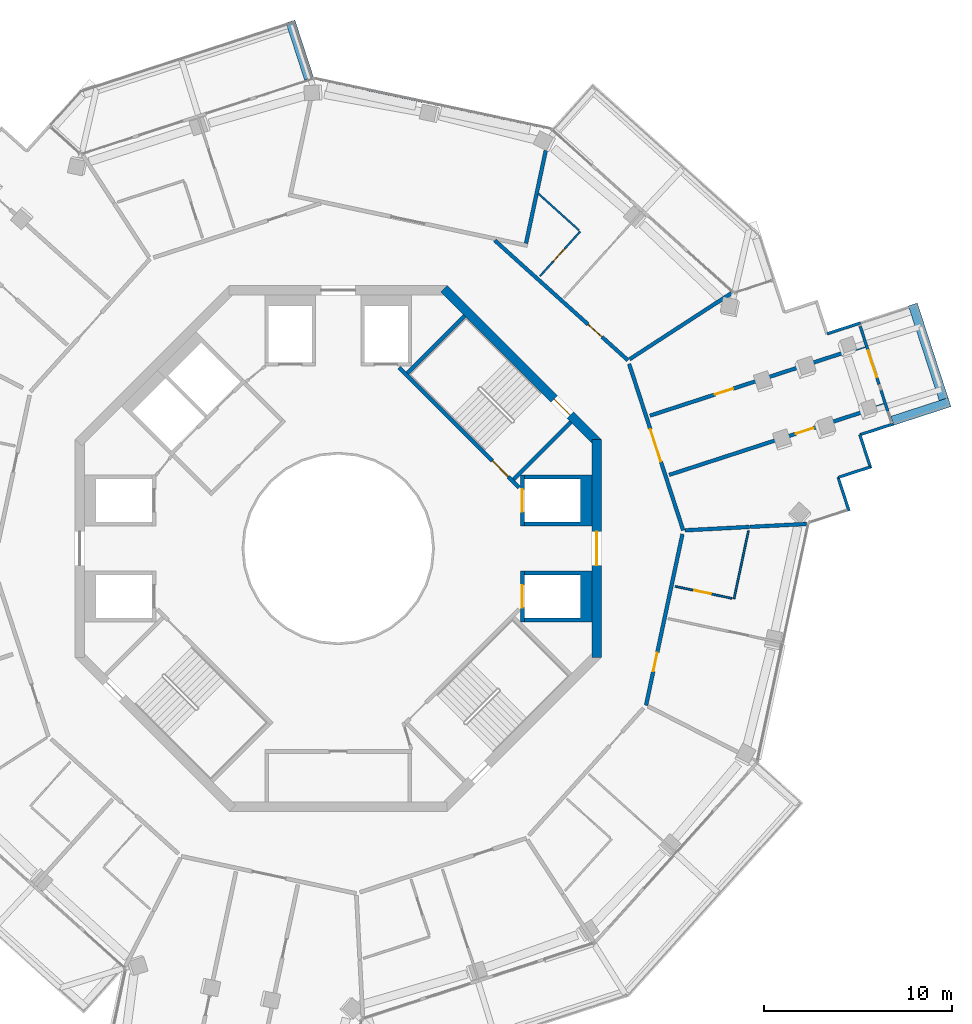
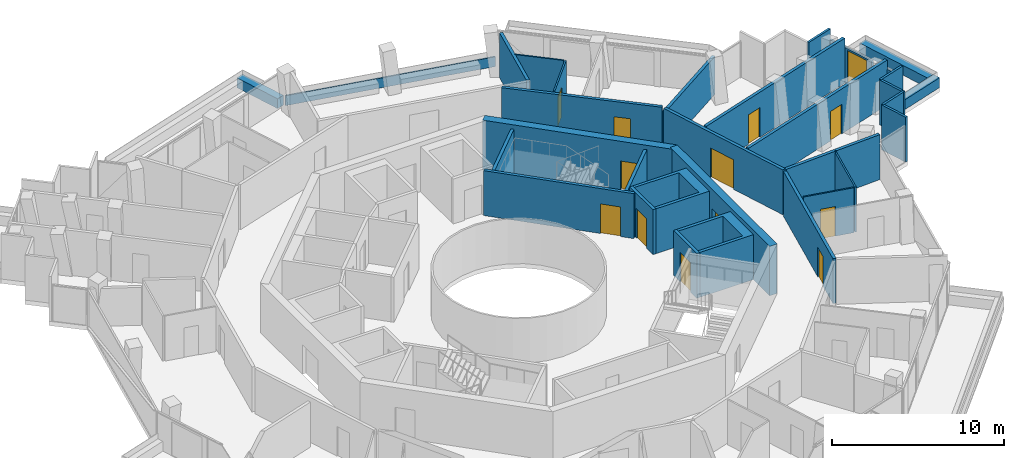
# One storey, part 18 of 22: 33 walls, 13 doors, 13 openings.
"""IFC4 building model written with IfcOpenShell, lengths in metres."""

import ifcopenshell
import ifcopenshell.guid

model = None  # the IFC model being written
_history = None  # IfcOwnerHistory: only IFC2X3 demands one
_inside = {}  # id of a spatial element -> (the spatial element, [elements in it])
_under = {}  # id of a project, library or spatial element -> (it, [spatial elements below it])
_declared = {}  # id of a project -> (the project, [libraries it declares])
_typed = {}  # id of a type object -> (the type object, [elements of that type])
_made_of = {}  # id of a material, layer set ... -> (it, [elements and type objects made of it])


def new_model(schema):
    """Start an empty IFC model of exactly this schema.

    Asked for "IFC4X3", IfcOpenShell would pick the latest addendum, in which some entities
    have other attributes; the version numbers below select the first issue.
    IFC2X3 requires an IfcOwnerHistory on every rooted entity: one is made here for all.
    """
    global model, _history
    if schema == "IFC4X3":
        model = ifcopenshell.file(schema_version=(4, 3, 0, 0))
    else:
        model = ifcopenshell.file(schema=schema)
    _inside.clear()
    _under.clear()
    _declared.clear()
    _typed.clear()
    _made_of.clear()
    _history = None
    if model.schema == "IFC2X3":
        org = make("IfcOrganization", Name="unknown")
        user = make(
            "IfcPersonAndOrganization",
            ThePerson=make("IfcPerson", FamilyName="unknown"),
            TheOrganization=org,
        )
        app = make(
            "IfcApplication",
            ApplicationDeveloper=org,
            Version="unknown",
            ApplicationFullName="unknown",
            ApplicationIdentifier="unknown",
        )
        _history = make(
            "IfcOwnerHistory",
            OwningUser=user,
            OwningApplication=app,
            ChangeAction="ADDED",
            CreationDate=0,
        )
    return model


def make(cls, **values):
    """One entity of the class cls with the attributes given. An attribute that is None is left unset."""
    return model.create_entity(
        cls, **{name: value for name, value in values.items() if value is not None}
    )


def rooted(cls, **values):
    """An entity with a GlobalId (a new one), such as an element, a storey or a relation."""
    return make(cls, GlobalId=ifcopenshell.guid.new(), OwnerHistory=_history, **values)


def si_unit(unit_type, name, prefix=None):
    """IfcSIUnit, for example si_unit("LENGTHUNIT", "METRE", prefix="MILLI")."""
    return make("IfcSIUnit", UnitType=unit_type, Prefix=prefix, Name=name)


def assignment(units):
    """IfcUnitAssignment: the units of a project."""
    return None if units is None else make("IfcUnitAssignment", Units=units)


def point(xyz):
    """IfcCartesianPoint."""
    return None if xyz is None else make("IfcCartesianPoint", Coordinates=xyz)


def direction(xyz):
    """IfcDirection."""
    return None if xyz is None else make("IfcDirection", DirectionRatios=xyz)


def frame(location, z_axis=None, x_axis=None):
    """IfcAxis2Placement3D, a coordinate frame: its origin and axes. An axis left out is left unset."""
    return make(
        "IfcAxis2Placement3D",
        Location=point(location),
        Axis=direction(z_axis),
        RefDirection=direction(x_axis),
    )


def frame_2d(location, x_axis=None):
    """IfcAxis2Placement2D, a coordinate frame in the plane: its origin and x axis."""
    return make(
        "IfcAxis2Placement2D", Location=point(location), RefDirection=direction(x_axis)
    )


def origin():
    """The frame at (0, 0, 0) with its axes left unset."""
    return frame((0.0, 0.0, 0.0))


def place(relative_to, where):
    """IfcLocalPlacement: puts the frame where relative to a parent placement (None: the world)."""
    return make(
        "IfcLocalPlacement", PlacementRelTo=relative_to, RelativePlacement=where
    )


def context(
    kind, dimensions, precision=None, world=None, true_north=None, identifier=None
):
    """IfcGeometricRepresentationContext, for example the 3D "Model" context."""
    return make(
        "IfcGeometricRepresentationContext",
        ContextIdentifier=identifier,
        ContextType=kind,
        CoordinateSpaceDimension=dimensions,
        Precision=precision,
        WorldCoordinateSystem=world,
        TrueNorth=true_north,
    )


def subcontext(parent, identifier, kind, view, scale=None):
    """IfcGeometricRepresentationSubContext, for example "Body" below "Model"."""
    return make(
        "IfcGeometricRepresentationSubContext",
        ContextIdentifier=identifier,
        ContextType=kind,
        ParentContext=parent,
        TargetScale=scale,
        TargetView=view,
    )


def project(units=None, contexts=None):
    """IfcProject with its units and contexts."""
    return rooted(
        "IfcProject",
        Name="project",
        RepresentationContexts=contexts,
        UnitsInContext=assignment(units),
    )


def spatial(cls, under=None, at=None, **own):
    """A site, building, storey or space (cls), placed at a placement, below another one or the project."""
    s = rooted(cls, ObjectPlacement=at, **own)
    if under is not None:
        _under.setdefault(under.id(), (under, []))[1].append(s)
    return s


def polyline(points):
    """IfcPolyline through the points."""
    return make("IfcPolyline", Points=[point(p) for p in points])


def profile(cls, at=None, kind="AREA", **sizes):
    """A parametric profile (cls). Its sizes go by their IFC names, for example OverallWidth=200.0."""
    return make(cls, ProfileType=kind, Position=at, **sizes)


def rectangle(**sizes):
    """IfcRectangleProfileDef."""
    return profile("IfcRectangleProfileDef", **sizes)


def outline(outer, holes=None, kind="AREA"):
    """IfcArbitraryClosedProfileDef: a profile drawn as a closed curve; with holes, ...WithVoids."""
    if holes is None:
        return make("IfcArbitraryClosedProfileDef", ProfileType=kind, OuterCurve=outer)
    return make(
        "IfcArbitraryProfileDefWithVoids",
        ProfileType=kind,
        OuterCurve=outer,
        InnerCurves=holes,
    )


def extrude(swept, where, along, depth):
    """IfcExtrudedAreaSolid: the profile swept, set in the frame where, extruded along a direction by depth."""
    return make(
        "IfcExtrudedAreaSolid",
        SweptArea=swept,
        Position=where,
        ExtrudedDirection=direction(along),
        Depth=depth,
    )


def shape(context_of_items, identifier, shape_type, items):
    """IfcShapeRepresentation: the items that make up one representation, for example the "Body"."""
    return make(
        "IfcShapeRepresentation",
        ContextOfItems=context_of_items,
        RepresentationIdentifier=identifier,
        RepresentationType=shape_type,
        Items=items,
    )


def material(Name=None, Category=None):
    """IfcMaterial."""
    return make("IfcMaterial", Name=Name, Category=Category)


def layer(
    of_material, thickness, ventilated=None, Name=None, Category=None, Priority=None
):
    """IfcMaterialLayer: one layer of a wall or slab, of a material (None: an air gap)."""
    return make(
        "IfcMaterialLayer",
        Material=of_material,
        LayerThickness=thickness,
        IsVentilated=ventilated,
        Name=Name,
        Category=Category,
        Priority=Priority,
    )


def layer_set(layers, Name=None):
    """IfcMaterialLayerSet."""
    return make("IfcMaterialLayerSet", MaterialLayers=layers, LayerSetName=Name)


def made_of(thing, what):
    """Note that an element or type object is made of a material, layer set ...; save() writes the relation."""
    if what is not None:
        _made_of.setdefault(what.id(), (what, []))[1].append(thing)
    return thing


def type_object(cls, material=None, **own):
    """A type object (cls), such as IfcWallType, which elements share."""
    return made_of(rooted(cls, **own), material)


def element(
    cls,
    number,
    at=None,
    inside=None,
    cuts=None,
    type_object=None,
    material=None,
    context=None,
    identifier="Body",
    shape_type=None,
    held_by="IfcProductDefinitionShape",
    body=None,
    shapes=None,
    **own,
):
    """One element of the class cls, such as IfcWall. Its Tag is "e" and its number.

    at: its placement. inside: the storey or other place that contains it. cuts: it is an
    opening in that element (IfcRelVoidsElement). A single representation is given by context,
    identifier, shape_type and body (its items); several are given by shapes. held_by: the class
    of the entity that holds the representations. save() writes the other relations.
    """
    e = rooted(cls, Tag="e%d" % number, ObjectPlacement=at, **own)
    if body is not None:
        shapes = [shape(context, identifier, shape_type, body)]
    if shapes is not None:
        e.Representation = make(held_by, Representations=shapes)
    if inside is not None:
        _inside.setdefault(inside.id(), (inside, []))[1].append(e)
    if cuts is not None:
        rooted(
            "IfcRelVoidsElement", RelatingBuildingElement=cuts, RelatedOpeningElement=e
        )
    if type_object is not None:
        _typed.setdefault(type_object.id(), (type_object, []))[1].append(e)
    return made_of(e, material)


def fill(opening, filler):
    """IfcRelFillsElement: the door or window that sits in an opening."""
    return rooted(
        "IfcRelFillsElement",
        RelatingOpeningElement=opening,
        RelatedBuildingElement=filler,
    )


def aggregate(whole, parts):
    """IfcRelAggregates: a whole, such as a stair, and the parts it consists of."""
    return rooted("IfcRelAggregates", RelatingObject=whole, RelatedObjects=parts)


def save(model, path):
    """Write the relations noted so far, then the file.

    IfcRelAggregates (storeys below a building ...), IfcRelContainedInSpatialStructure (elements
    in a storey), IfcRelDefinesByType, IfcRelAssociatesMaterial and IfcRelDeclares: one each for
    every whole, place, type object, material and project.
    """
    for whole, parts in _under.values():
        aggregate(whole, parts)
    for where, things in _inside.values():
        rooted(
            "IfcRelContainedInSpatialStructure",
            RelatedElements=things,
            RelatingStructure=where,
        )
    for kind, things in _typed.values():
        rooted("IfcRelDefinesByType", RelatedObjects=things, RelatingType=kind)
    for what, things in _made_of.values():
        rooted("IfcRelAssociatesMaterial", RelatedObjects=things, RelatingMaterial=what)
    for by, libraries in _declared.values():
        rooted("IfcRelDeclares", RelatingContext=by, RelatedDefinitions=libraries)
    model.write(path)


model = new_model("IFC4")

# Units and contexts
model_context = context("Model", 3, precision=1e-05, world=origin(), true_north=direction((0.0, 1.0)))
body_context = subcontext(model_context, "Body", "Model", "MODEL_VIEW")
ifc_project = project(units=[si_unit("LENGTHUNIT", "METRE"), si_unit("AREAUNIT", "SQUARE_METRE"), si_unit("VOLUMEUNIT", "CUBIC_METRE"), si_unit("PLANEANGLEUNIT", "RADIAN"), si_unit("MASSUNIT", "GRAM", prefix="KILO")], contexts=[model_context])

# Site, building, storey
site_placement = place(None, origin())
site = spatial("IfcSite", under=ifc_project, at=site_placement, CompositionType="ELEMENT")
building_placement = place(site_placement, origin())
building = spatial("IfcBuilding", under=site, at=building_placement, Name="Verdalira Terraces Hotel", CompositionType="ELEMENT")
storey_placement = place(building_placement, frame((0.0, 0.0, 230.5)))
storey = spatial("IfcBuildingStorey", under=building, at=storey_placement, Name="L56", CompositionType="ELEMENT", Elevation=230.5)

# Walls
ifc_material_1 = material(Name="Concrete C40", Category="concrete")
ifc_layer_1 = layer(ifc_material_1, 0.5)
ifc_layer_set_1 = layer_set([ifc_layer_1], Name="Balcony planter trough with tree")
wall_type_1 = type_object("IfcWallType", Name="Balcony planter trough with tree", PredefinedType="SOLIDWALL", material=ifc_layer_set_1)
wall_1_placement = place(storey_placement, frame((29.490234, 6.795654, 0.0), z_axis=(0.0, 0.0, 1.0), x_axis=(0.951059864, 0.309006691, 0.0)))
element("IfcWall", 1, at=wall_1_placement, inside=storey, type_object=wall_type_1, Name="Balcony planter", PredefinedType="SOLIDWALL", context=body_context, shape_type="SweptSolid", body=[
    extrude(rectangle(XDim=3.198975, YDim=0.5, at=frame_2d((1.599609, 0.0))), origin(), (0.0, 0.0, 1.0), 0.699951),
])
wall_2_placement = place(storey_placement, frame((32.217773, 7.94458, 0.0), z_axis=(0.0, 0.0, 1.0), x_axis=(-0.309032953, 0.951051331, 0.0)))
element("IfcWall", 2, at=wall_2_placement, inside=storey, type_object=wall_type_1, Name="Balcony planter", PredefinedType="SOLIDWALL", context=body_context, shape_type="SweptSolid", body=[
    extrude(rectangle(XDim=5.300293, YDim=0.5, at=frame_2d((2.650146, 0.0))), origin(), (0.0, 0.0, 1.0), 0.699951),
])
wall_3_placement = place(storey_placement, frame((-1.55249, 25.003418, 0.0), z_axis=(0.0, 0.0, 1.0), x_axis=(-0.309006691, 0.951059864, 0.0)))
element("IfcWall", 3, at=wall_3_placement, inside=storey, type_object=wall_type_1, Name="Balcony planter", PredefinedType="SOLIDWALL", context=body_context, shape_type="SweptSolid", body=[
    extrude(rectangle(XDim=3.198975, YDim=0.5, at=frame_2d((1.599609, 0.0))), origin(), (0.0, 0.0, 1.0), 0.699951),
])
ifc_material_2 = material(Name="Moisture-resistant gypsum board partition")
ifc_layer_2 = layer(ifc_material_2, 0.10009765625)
ifc_layer_set_2 = layer_set([ifc_layer_2], Name="Bathroom partition 100 mm")
wall_type_2 = type_object("IfcWallType", Name="Bathroom partition 100 mm", PredefinedType="PARTITIONING", material=ifc_layer_set_2)
wall_4_placement = place(storey_placement, frame((12.806396, 16.94043, 0.0), z_axis=(0.0, 0.0, 1.0), x_axis=(-0.74311485, 0.669163896, 0.0)))
element("IfcWall", 4, at=wall_4_placement, inside=storey, type_object=wall_type_2, Name="Bathroom partition", PredefinedType="PARTITIONING", context=body_context, shape_type="SweptSolid", body=[
    extrude(rectangle(XDim=2.911865, YDim=0.100098, at=frame_2d((1.456055, 0.0))), origin(), (0.0, 0.0, 1.0), 3.189941),
])

# Wall, opening, door
wall_5_placement = place(storey_placement, frame((10.739502, 14.495361, 0.0), z_axis=(0.0, 0.0, 1.0), x_axis=(0.66909539, 0.743176533, 0.0)))
wall_5 = element("IfcWall", 5, at=wall_5_placement, inside=storey, type_object=wall_type_2, Name="Bathroom partition", PredefinedType="PARTITIONING", context=body_context, shape_type="SweptSolid", body=[
    extrude(rectangle(XDim=3.199951, YDim=0.100098, at=frame_2d((1.600098, 0.0))), origin(), (0.0, 0.0, 1.0), 3.189941),
])
opening_1_placement = place(wall_5_placement, frame((1.050049, 0.0, 0.0)))
opening_1 = element("IfcOpeningElement", 6, at=opening_1_placement, cuts=wall_5, Name="Opening L56-129", PredefinedType="OPENING", context=body_context, shape_type="SweptSolid", body=[
    extrude(rectangle(XDim=0.899902, YDim=2.100098, at=frame_2d((0.449951, 1.050049))), frame((0.0, 0.060059, 0.0), z_axis=(0.0, -1.0, 0.0), x_axis=(1.0, 0.0, 0.0)), (0.0, 0.0, 1.0), 0.120117),
])
ifc_material_3 = material(Name="Timber door", Category="wood")
door_type_1 = type_object("IfcDoorType", Name="Bathroom door 900 x 2100", OperationType="NOTDEFINED", PredefinedType="DOOR", material=ifc_material_3)
door_1_placement = place(opening_1_placement, origin())
door_1 = element("IfcDoor", 7, at=door_1_placement, inside=storey, type_object=door_type_1, Name="Bathroom door 5610", OperationType="SINGLE_SWING_RIGHT", OverallHeight=2.10009765625, OverallWidth=0.89990234375, PredefinedType="DOOR", context=body_context, shape_type="SweptSolid", body=[
    extrude(rectangle(XDim=0.899902, YDim=2.100098, at=frame_2d((0.449951, 1.050049))), frame((0.0, 0.024902, 0.0), z_axis=(0.0, -1.0, 0.0), x_axis=(1.0, 0.0, 0.0)), (0.0, 0.0, 1.0), 0.050049),
])
fill(opening_1, door_1)

wall_6_placement = place(storey_placement, frame((17.931396, -2.013916, 0.0), z_axis=(0.0, 0.0, 1.0), x_axis=(0.97814684, -0.20791527, 0.0)))
wall_6 = element("IfcWall", 8, at=wall_6_placement, inside=storey, type_object=wall_type_2, Name="Bathroom partition", PredefinedType="PARTITIONING", context=body_context, shape_type="SweptSolid", body=[
    extrude(rectangle(XDim=3.099854, YDim=0.100098, at=frame_2d((1.549805, 0.0))), origin(), (0.0, 0.0, 1.0), 3.189941),
])
opening_2_placement = place(wall_6_placement, frame((1.050049, 0.0, 0.0)))
opening_2 = element("IfcOpeningElement", 9, at=opening_2_placement, cuts=wall_6, Name="Opening L56-123", PredefinedType="OPENING", context=body_context, shape_type="SweptSolid", body=[
    extrude(rectangle(XDim=0.899902, YDim=2.100098, at=frame_2d((0.449951, 1.050049))), frame((0.0, 0.060059, 0.0), z_axis=(0.0, -1.0, 0.0), x_axis=(1.0, 0.0, 0.0)), (0.0, 0.0, 1.0), 0.120117),
])
door_2_placement = place(opening_2_placement, origin())
door_2 = element("IfcDoor", 10, at=door_2_placement, inside=storey, type_object=door_type_1, Name="Bathroom door 5608", OperationType="SINGLE_SWING_RIGHT", OverallHeight=2.10009765625, OverallWidth=0.89990234375, PredefinedType="DOOR", context=body_context, shape_type="SweptSolid", body=[
    extrude(rectangle(XDim=0.899902, YDim=2.100098, at=frame_2d((0.449951, 1.050049))), frame((0.0, 0.024902, 0.0), z_axis=(0.0, -1.0, 0.0), x_axis=(1.0, 0.0, 0.0)), (0.0, 0.0, 1.0), 0.050049),
])
fill(opening_2, door_2)

# Walls
wall_7_placement = place(storey_placement, frame((21.061523, -2.679199, 0.0), z_axis=(0.0, 0.0, 1.0), x_axis=(0.207890288, 0.97815215, 0.0)))
element("IfcWall", 11, at=wall_7_placement, inside=storey, type_object=wall_type_2, Name="Bathroom partition", PredefinedType="PARTITIONING", context=body_context, shape_type="SweptSolid", body=[
    extrude(rectangle(XDim=3.703857, YDim=0.100098, at=frame_2d((1.852051, 0.0))), origin(), (0.0, 0.0, 1.0), 3.189941),
])
ifc_material_4 = material(Name="Concrete C50", Category="concrete")
ifc_layer_3 = layer(ifc_material_4, 0.199951171875)
ifc_layer_set_3 = layer_set([ifc_layer_3], Name="Core RC wall 200 C50")
wall_type_3 = type_object("IfcWallType", Name="Core RC wall 200 C50", PredefinedType="SOLIDWALL", material=ifc_layer_set_3)
wall_8_placement = place(storey_placement, origin())
element("IfcWall", 12, at=wall_8_placement, inside=storey, type_object=wall_type_3, Name="L56 shaft wall E1", PredefinedType="SOLIDWALL", context=body_context, shape_type="SweptSolid", body=[
    extrude(outline(polyline([(13.5, -3.899902), (9.899902, -3.899902), (9.899902, -3.699951), (12.899902, -3.699951), (12.899902, -1.399902), (9.899902, -1.399902), (9.899902, -1.199951), (13.5, -1.199951), (13.5, -3.899902)])), origin(), (0.0, 0.0, 1.0), 3.189941),
])

# Wall, opening, door
wall_9_placement = place(storey_placement, frame((9.800049, -1.199951, 0.0), z_axis=(0.0, 0.0, 1.0), x_axis=(0.0, -1.0, 0.0)))
wall_9 = element("IfcWall", 13, at=wall_9_placement, inside=storey, type_object=wall_type_3, Name="L56 shaft front wall E1", PredefinedType="SOLIDWALL", context=body_context, shape_type="SweptSolid", body=[
    extrude(rectangle(XDim=2.699951, YDim=0.199951, at=frame_2d((1.350098, 0.0))), origin(), (0.0, 0.0, 1.0), 3.189941),
])
opening_3_placement = place(wall_9_placement, frame((0.75, 0.0, 0.0)))
opening_3 = element("IfcOpeningElement", 14, at=opening_3_placement, cuts=wall_9, Name="Opening LD-L56-802", PredefinedType="OPENING", context=body_context, shape_type="SweptSolid", body=[
    extrude(rectangle(XDim=1.199951, YDim=2.100098, at=frame_2d((0.600098, 1.050049))), frame((0.0, 0.109863, 0.0), z_axis=(0.0, -1.0, 0.0), x_axis=(1.0, 0.0, 0.0)), (0.0, 0.0, 1.0), 0.219971),
])
ifc_material_5 = material(Name="Stainless steel", Category="steel")
door_type_2 = type_object("IfcDoorType", Name="Landing door 1200 x 2100", OperationType="NOTDEFINED", PredefinedType="DOOR", material=ifc_material_5)
door_3_placement = place(opening_3_placement, origin())
door_3 = element("IfcDoor", 15, at=door_3_placement, inside=storey, type_object=door_type_2, Name="Lift landing door HR1 L56", OperationType="DOUBLE_DOOR_SLIDING", OverallHeight=2.10009765625, OverallWidth=1.199951171875, PredefinedType="DOOR", context=body_context, shape_type="SweptSolid", body=[
    extrude(rectangle(XDim=1.199951, YDim=2.100098, at=frame_2d((0.600098, 1.050049))), frame((0.0, 0.024902, 0.0), z_axis=(0.0, -1.0, 0.0), x_axis=(1.0, 0.0, 0.0)), (0.0, 0.0, 1.0), 0.050049),
])
fill(opening_3, door_3)

# Wall
wall_10_placement = place(storey_placement, origin())
element("IfcWall", 16, at=wall_10_placement, inside=storey, type_object=wall_type_3, Name="L56 shaft wall E2", PredefinedType="SOLIDWALL", context=body_context, shape_type="SweptSolid", body=[
    extrude(outline(polyline([(13.5, 3.899902), (13.5, 1.199951), (9.899902, 1.199951), (9.899902, 1.399902), (12.899902, 1.399902), (12.899902, 3.699951), (9.899902, 3.699951), (9.899902, 3.899902), (13.5, 3.899902)])), origin(), (0.0, 0.0, 1.0), 3.189941),
])

# Wall, opening, door
wall_11_placement = place(storey_placement, frame((9.800049, 1.199951, 0.0), z_axis=(0.0, 0.0, 1.0), x_axis=(0.0, 1.0, 0.0)))
wall_11 = element("IfcWall", 17, at=wall_11_placement, inside=storey, type_object=wall_type_3, Name="L56 shaft front wall E2", PredefinedType="SOLIDWALL", context=body_context, shape_type="SweptSolid", body=[
    extrude(rectangle(XDim=2.699951, YDim=0.199951, at=frame_2d((1.350098, 0.0))), origin(), (0.0, 0.0, 1.0), 3.189941),
])
opening_4_placement = place(wall_11_placement, frame((0.75, 0.0, 0.0)))
opening_4 = element("IfcOpeningElement", 18, at=opening_4_placement, cuts=wall_11, Name="Opening LD-L56-803", PredefinedType="OPENING", context=body_context, shape_type="SweptSolid", body=[
    extrude(rectangle(XDim=1.199951, YDim=2.100098, at=frame_2d((0.600098, 1.050049))), frame((0.0, 0.109863, 0.0), z_axis=(0.0, -1.0, 0.0), x_axis=(1.0, 0.0, 0.0)), (0.0, 0.0, 1.0), 0.219971),
])
door_4_placement = place(opening_4_placement, origin())
door_4 = element("IfcDoor", 19, at=door_4_placement, inside=storey, type_object=door_type_2, Name="Lift landing door HR2 L56", OperationType="DOUBLE_DOOR_SLIDING", OverallHeight=2.10009765625, OverallWidth=1.199951171875, PredefinedType="DOOR", context=body_context, shape_type="SweptSolid", body=[
    extrude(rectangle(XDim=1.199951, YDim=2.100098, at=frame_2d((0.600098, 1.050049))), frame((0.0, 0.024902, 0.0), z_axis=(0.0, -1.0, 0.0), x_axis=(1.0, 0.0, 0.0)), (0.0, 0.0, 1.0), 0.050049),
])
fill(opening_4, door_4)

wall_12_placement = place(storey_placement, frame((3.23999, 9.629395, 0.0), z_axis=(0.0, 0.0, 1.0), x_axis=(0.707106781, -0.707106781, 0.0)))
wall_12 = element("IfcWall", 20, at=wall_12_placement, inside=storey, type_object=wall_type_3, Name="L56 stair ST1 front wall", PredefinedType="SOLIDWALL", context=body_context, shape_type="SweptSolid", body=[
    extrude(rectangle(XDim=9.035889, YDim=0.199951, at=frame_2d((4.518066, 0.0))), origin(), (0.0, 0.0, 1.0), 3.189941),
])
opening_5_placement = place(wall_12_placement, frame((7.017822, 0.0, 0.0)))
opening_5 = element("IfcOpeningElement", 21, at=opening_5_placement, cuts=wall_12, Name="Opening L56-810", PredefinedType="OPENING", context=body_context, shape_type="SweptSolid", body=[
    extrude(rectangle(XDim=1.199951, YDim=2.100098, at=frame_2d((0.600098, 1.050049))), frame((0.0, 0.109863, 0.0), z_axis=(0.0, -1.0, 0.0), x_axis=(1.0, 0.0, 0.0)), (0.0, 0.0, 1.0), 0.219971),
])
ifc_material_6 = material(Name="Steel fire door", Category="steel")
door_type_3 = type_object("IfcDoorType", Name="Stair door 1200 x 2100", OperationType="NOTDEFINED", PredefinedType="DOOR", material=ifc_material_6)
door_5_placement = place(opening_5_placement, origin())
door_5 = element("IfcDoor", 22, at=door_5_placement, inside=storey, type_object=door_type_3, Name="Stair door ST1 L56", OperationType="SINGLE_SWING_RIGHT", OverallHeight=2.10009765625, OverallWidth=1.199951171875, PredefinedType="DOOR", context=body_context, shape_type="SweptSolid", body=[
    extrude(rectangle(XDim=1.199951, YDim=2.100098, at=frame_2d((0.600098, 1.050049))), frame((0.0, 0.024902, 0.0), z_axis=(0.0, -1.0, 0.0), x_axis=(1.0, 0.0, 0.0)), (0.0, 0.0, 1.0), 0.050049),
])
fill(opening_5, door_5)

# Walls
for number, where, z_axis, x_axis, name in (
    (23, (9.33374, 3.677002, 0.0), (0.0, 0.0, 1.0), (0.707135168, 0.707078393, 0.0), "L56 stair ST1 end wall 1"),
    (24, (3.677002, 9.33374, 0.0), (0.0, 0.0, 1.0), (0.707078393, 0.707135168, 0.0), "L56 stair ST1 end wall 2"),
):
    element("IfcWall", number, at=place(storey_placement, frame(where, z_axis=z_axis, x_axis=x_axis)), inside=storey, type_object=wall_type_3, Name=name, PredefinedType="SOLIDWALL", context=body_context, shape_type="SweptSolid", body=[
        extrude(rectangle(XDim=4.300049, YDim=0.199951, at=frame_2d((2.149902, 0.0))), origin(), (0.0, 0.0, 1.0), 3.189941),
    ])

# Wall, opening, door
ifc_material_7 = material(Name="Concrete C50", Category="concrete")
ifc_layer_4 = layer(ifc_material_7, 0.5)
ifc_layer_set_4 = layer_set([ifc_layer_4], Name="Core wall 500 C50")
wall_type_4 = type_object("IfcWallType", Name="Core wall 500 C50", PredefinedType="SHEAR", material=ifc_layer_set_4)
wall_13_placement = place(storey_placement, frame((13.75, -5.799072, 0.0), z_axis=(0.0, 0.0, 1.0), x_axis=(0.0, 1.0, 0.0)))
wall_13 = element("IfcWall", 25, at=wall_13_placement, inside=storey, type_object=wall_type_4, Name="Core wall CW-L56-1", PredefinedType="SHEAR", context=body_context, shape_type="SweptSolid", body=[
    extrude(rectangle(XDim=11.598145, YDim=0.5, at=frame_2d((5.799072, 0.0))), origin(), (0.0, 0.0, 1.0), 3.5),
])
opening_6_placement = place(wall_13_placement, frame((4.898926, 0.0, 0.0)))
opening_6 = element("IfcOpeningElement", 26, at=opening_6_placement, cuts=wall_13, Name="Opening L56-813", PredefinedType="OPENING", context=body_context, shape_type="SweptSolid", body=[
    extrude(rectangle(XDim=1.800049, YDim=2.100098, at=frame_2d((0.899902, 1.050049))), frame((0.0, 0.26001, 0.0), z_axis=(0.0, -1.0, 0.0), x_axis=(1.0, 0.0, 0.0)), (0.0, 0.0, 1.0), 0.52002),
])
ifc_material_8 = material(Name="Steel fire door", Category="steel")
door_type_4 = type_object("IfcDoorType", Name="Core entry door pair 1800 x 2100", OperationType="NOTDEFINED", PredefinedType="DOOR", material=ifc_material_8)
door_6_placement = place(opening_6_placement, origin())
door_6 = element("IfcDoor", 27, at=door_6_placement, inside=storey, type_object=door_type_4, Name="Core entry door L56 0", OperationType="DOUBLE_DOOR_SINGLE_SWING", OverallHeight=2.10009765625, OverallWidth=1.800048828125, PredefinedType="DOOR", context=body_context, shape_type="SweptSolid", body=[
    extrude(rectangle(XDim=1.800049, YDim=2.100098, at=frame_2d((0.899902, 1.050049))), frame((0.0, 0.024902, 0.0), z_axis=(0.0, -1.0, 0.0), x_axis=(1.0, 0.0, 0.0)), (0.0, 0.0, 1.0), 0.050049),
])
fill(opening_6, door_6)

wall_14_placement = place(storey_placement, frame((13.823242, 5.622314, 0.0), z_axis=(0.0, 0.0, 1.0), x_axis=(-0.707106781, 0.707106781, 0.0)))
wall_14 = element("IfcWall", 28, at=wall_14_placement, inside=storey, type_object=wall_type_4, Name="Core wall CW-L56-2", PredefinedType="SHEAR", context=body_context, shape_type="SweptSolid", body=[
    extrude(rectangle(XDim=11.5979, YDim=0.5, at=frame_2d((5.798828, 0.0))), origin(), (0.0, 0.0, 1.0), 3.5),
])
opening_7_placement = place(wall_14_placement, frame((2.099121, 0.0, 0.0)))
opening_7 = element("IfcOpeningElement", 29, at=opening_7_placement, cuts=wall_14, Name="Opening L56-816", PredefinedType="OPENING", context=body_context, shape_type="SweptSolid", body=[
    extrude(rectangle(XDim=1.199951, YDim=2.100098, at=frame_2d((0.600098, 1.050049))), frame((0.0, 0.26001, 0.0), z_axis=(0.0, -1.0, 0.0), x_axis=(1.0, 0.0, 0.0)), (0.0, 0.0, 1.0), 0.52002),
])
door_7_placement = place(opening_7_placement, origin())
door_7 = element("IfcDoor", 30, at=door_7_placement, inside=storey, type_object=door_type_3, Name="Stair exit door ST1 L56", OperationType="SINGLE_SWING_LEFT", OverallHeight=2.10009765625, OverallWidth=1.199951171875, PredefinedType="DOOR", context=body_context, shape_type="SweptSolid", body=[
    extrude(rectangle(XDim=1.199951, YDim=2.100098, at=frame_2d((0.600098, 1.050049))), frame((0.0, 0.024902, 0.0), z_axis=(0.0, -1.0, 0.0), x_axis=(1.0, 0.0, 0.0)), (0.0, 0.0, 1.0), 0.050049),
])
fill(opening_7, door_7)

# Wall
ifc_material_9 = material(Name="Fire-rated gypsum board wall")
ifc_layer_5 = layer(ifc_material_9, 0.199951171875)
ifc_layer_set_5 = layer_set([ifc_layer_5], Name="Demising wall 200 mm")
wall_type_5 = type_object("IfcWallType", Name="Demising wall 200 mm", PredefinedType="SOLIDWALL", material=ifc_layer_set_5)
wall_15_placement = place(storey_placement, frame((21.876709, 1.146484, 0.0), z_axis=(0.0, 0.0, 1.0), x_axis=(-0.998628855, -0.05234892, 0.0)))
element("IfcWall", 31, at=wall_15_placement, inside=storey, type_object=wall_type_5, Name="Demising wall", PredefinedType="SOLIDWALL", context=body_context, shape_type="SweptSolid", body=[
    extrude(rectangle(XDim=3.418457, YDim=0.199951, at=frame_2d((1.709229, 0.0))), origin(), (0.0, 0.0, 1.0), 3.189941),
])

# Wall, opening, door
wall_16_placement = place(storey_placement, frame((16.586182, 7.067139, 0.0), z_axis=(0.0, 0.0, 1.0), x_axis=(0.951053293, 0.309026913, 0.0)))
wall_16 = element("IfcWall", 32, at=wall_16_placement, inside=storey, type_object=wall_type_5, Name="Demising wall", PredefinedType="SOLIDWALL", context=body_context, shape_type="SweptSolid", body=[
    extrude(rectangle(XDim=12.037598, YDim=0.199951, at=frame_2d((6.018799, 0.0))), origin(), (0.0, 0.0, 1.0), 3.189941),
])
opening_8_placement = place(wall_16_placement, frame((3.649902, 0.0, 0.0)))
opening_8 = element("IfcOpeningElement", 33, at=opening_8_placement, cuts=wall_16, Name="Opening L56-126", PredefinedType="OPENING", context=body_context, shape_type="SweptSolid", body=[
    extrude(rectangle(XDim=1.0, YDim=2.100098, at=frame_2d((0.5, 1.050049))), frame((0.0, 0.109863, 0.0), z_axis=(0.0, -1.0, 0.0), x_axis=(1.0, 0.0, 0.0)), (0.0, 0.0, 1.0), 0.219971),
])
ifc_material_10 = material(Name="Timber fire door", Category="wood")
door_type_5 = type_object("IfcDoorType", Name="Public room door 1000 x 2100", OperationType="NOTDEFINED", PredefinedType="DOOR", material=ifc_material_10)
door_8_placement = place(opening_8_placement, origin())
door_8 = element("IfcDoor", 34, at=door_8_placement, inside=storey, type_object=door_type_5, Name="Public room door 5609", OperationType="SINGLE_SWING_LEFT", OverallHeight=2.10009765625, OverallWidth=1.0, PredefinedType="DOOR", context=body_context, shape_type="SweptSolid", body=[
    extrude(rectangle(XDim=1.0, YDim=2.100098, at=frame_2d((0.5, 1.050049))), frame((0.0, 0.024902, 0.0), z_axis=(0.0, -1.0, 0.0), x_axis=(1.0, 0.0, 0.0)), (0.0, 0.0, 1.0), 0.050049),
])
fill(opening_8, door_8)

wall_17_placement = place(storey_placement, frame((29.059082, 7.634521, 0.0), z_axis=(0.0, 0.0, 1.0), x_axis=(-0.951059254, -0.309008568, 0.0)))
wall_17 = element("IfcWall", 35, at=wall_17_placement, inside=storey, type_object=wall_type_5, Name="Demising wall", PredefinedType="SOLIDWALL", context=body_context, shape_type="SweptSolid", body=[
    extrude(rectangle(XDim=12.037598, YDim=0.199951, at=frame_2d((6.018799, 0.0))), origin(), (0.0, 0.0, 1.0), 3.189941),
])
opening_9_placement = place(wall_17_placement, frame((3.949951, 0.0, 0.0)))
opening_9 = element("IfcOpeningElement", 36, at=opening_9_placement, cuts=wall_17, Name="Opening L56-125", PredefinedType="OPENING", context=body_context, shape_type="SweptSolid", body=[
    extrude(rectangle(XDim=1.0, YDim=2.100098, at=frame_2d((0.5, 1.050049))), frame((0.0, 0.109863, 0.0), z_axis=(0.0, -1.0, 0.0), x_axis=(1.0, 0.0, 0.0)), (0.0, 0.0, 1.0), 0.219971),
])
door_9_placement = place(opening_9_placement, origin())
door_9 = element("IfcDoor", 37, at=door_9_placement, inside=storey, type_object=door_type_5, Name="Public room door 5609", OperationType="SINGLE_SWING_LEFT", OverallHeight=2.10009765625, OverallWidth=1.0, PredefinedType="DOOR", context=body_context, shape_type="SweptSolid", body=[
    extrude(rectangle(XDim=1.0, YDim=2.100098, at=frame_2d((0.5, 1.050049))), frame((0.0, 0.024902, 0.0), z_axis=(0.0, -1.0, 0.0), x_axis=(1.0, 0.0, 0.0)), (0.0, 0.0, 1.0), 0.050049),
])
fill(opening_9, door_9)

# Walls
wall_18_placement = place(storey_placement, frame((24.929932, 1.306396, 0.0), z_axis=(0.0, 0.0, 1.0), x_axis=(-0.998631902, -0.05229076, 0.0)))
element("IfcWall", 38, at=wall_18_placement, inside=storey, type_object=wall_type_5, Name="Demising wall", PredefinedType="SOLIDWALL", context=body_context, shape_type="SweptSolid", body=[
    extrude(rectangle(XDim=3.011475, YDim=0.199951, at=frame_2d((1.505859, 0.0))), origin(), (0.0, 0.0, 1.0), 3.189941),
])
ifc_material_11 = material(Name="Fire-rated gypsum board wall")
ifc_layer_6 = layer(ifc_material_11, 0.199951171875)
ifc_layer_set_6 = layer_set([ifc_layer_6], Name="Demising wall 200 mm to beam soffit")
wall_type_6 = type_object("IfcWallType", Name="Demising wall 200 mm to beam soffit", PredefinedType="SOLIDWALL", material=ifc_layer_set_6)
wall_19_placement = place(storey_placement, frame((15.505615, 10.06958, 0.0), z_axis=(0.0, 0.0, 1.0), x_axis=(0.838671806, 0.544637128, 0.0)))
element("IfcWall", 39, at=wall_19_placement, inside=storey, type_object=wall_type_6, Name="Demising wall", PredefinedType="SOLIDWALL", context=body_context, shape_type="SweptSolid", body=[
    extrude(rectangle(XDim=6.475586, YDim=0.199951, at=frame_2d((3.237793, 0.0))), origin(), (0.0, 0.0, 1.0), 2.689941),
])

# Wall, opening, door
ifc_material_12 = material(Name="Fire-rated gypsum board wall")
ifc_layer_7 = layer(ifc_material_12, 0.199951171875)
ifc_layer_set_7 = layer_set([ifc_layer_7], Name="Guest corridor wall 200 mm")
wall_type_7 = type_object("IfcWallType", Name="Guest corridor wall 200 mm", PredefinedType="SOLIDWALL", material=ifc_layer_set_7)
wall_20_placement = place(storey_placement, frame((8.331787, 16.394287, 0.0), z_axis=(0.0, 0.0, 1.0), x_axis=(0.743143917, -0.669131616, 0.0)))
wall_20 = element("IfcWall", 40, at=wall_20_placement, inside=storey, type_object=wall_type_7, Name="Guest corridor wall", PredefinedType="SOLIDWALL", context=body_context, shape_type="SweptSolid", body=[
    extrude(rectangle(XDim=9.536377, YDim=0.199951, at=frame_2d((4.768066, 0.0))), origin(), (0.0, 0.0, 1.0), 3.189941),
])
opening_10_placement = place(wall_20_placement, frame((6.678223, 0.0, 0.0)))
opening_10 = element("IfcOpeningElement", 41, at=opening_10_placement, cuts=wall_20, Name="Opening L56-127", PredefinedType="OPENING", context=body_context, shape_type="SweptSolid", body=[
    extrude(rectangle(XDim=1.0, YDim=2.100098, at=frame_2d((0.5, 1.050049))), frame((0.0, 0.109863, 0.0), z_axis=(0.0, -1.0, 0.0), x_axis=(1.0, 0.0, 0.0)), (0.0, 0.0, 1.0), 0.219971),
])
ifc_material_13 = material(Name="Timber fire door", Category="wood")
door_type_6 = type_object("IfcDoorType", Name="Guest entry door 1000 x 2100", OperationType="NOTDEFINED", PredefinedType="DOOR", material=ifc_material_13)
door_10_placement = place(opening_10_placement, origin())
door_10 = element("IfcDoor", 42, at=door_10_placement, inside=storey, type_object=door_type_6, Name="Guest entry door 5610", OperationType="SINGLE_SWING_LEFT", OverallHeight=2.10009765625, OverallWidth=1.0, PredefinedType="DOOR", context=body_context, shape_type="SweptSolid", body=[
    extrude(rectangle(XDim=1.0, YDim=2.100098, at=frame_2d((0.5, 1.050049))), frame((0.0, 0.024902, 0.0), z_axis=(0.0, -1.0, 0.0), x_axis=(1.0, 0.0, 0.0)), (0.0, 0.0, 1.0), 0.050049),
])
fill(opening_10, door_10)

wall_21_placement = place(storey_placement, frame((15.480713, 9.822998, 0.0), z_axis=(0.0, 0.0, 1.0), x_axis=(0.309001933, -0.95106141, 0.0)))
wall_21 = element("IfcWall", 43, at=wall_21_placement, inside=storey, type_object=wall_type_7, Name="Guest corridor wall", PredefinedType="SOLIDWALL", context=body_context, shape_type="SweptSolid", body=[
    extrude(rectangle(XDim=9.316895, YDim=0.199951, at=frame_2d((4.658447, 0.0))), origin(), (0.0, 0.0, 1.0), 3.189941),
])
opening_11_placement = place(wall_21_placement, frame((3.662598, 0.0, 0.0)))
opening_11 = element("IfcOpeningElement", 44, at=opening_11_placement, cuts=wall_21, Name="Opening L56-124", PredefinedType="OPENING", context=body_context, shape_type="SweptSolid", body=[
    extrude(rectangle(XDim=1.800049, YDim=2.100098, at=frame_2d((0.899902, 1.050049))), frame((0.0, 0.109863, 0.0), z_axis=(0.0, -1.0, 0.0), x_axis=(1.0, 0.0, 0.0)), (0.0, 0.0, 1.0), 0.219971),
])
ifc_material_14 = material(Name="Timber fire door", Category="wood")
door_type_7 = type_object("IfcDoorType", Name="Public room double door 1800 x 2100", OperationType="NOTDEFINED", PredefinedType="DOOR", material=ifc_material_14)
door_11_placement = place(opening_11_placement, origin())
door_11 = element("IfcDoor", 45, at=door_11_placement, inside=storey, type_object=door_type_7, Name="Public room double door 5609", OperationType="DOUBLE_DOOR_SINGLE_SWING", OverallHeight=2.10009765625, OverallWidth=1.800048828125, PredefinedType="DOOR", context=body_context, shape_type="SweptSolid", body=[
    extrude(rectangle(XDim=1.800049, YDim=2.100098, at=frame_2d((0.899902, 1.050049))), frame((0.0, 0.024902, 0.0), z_axis=(0.0, -1.0, 0.0), x_axis=(1.0, 0.0, 0.0)), (0.0, 0.0, 1.0), 0.050049),
])
fill(opening_11, door_11)

wall_22_placement = place(storey_placement, frame((18.318115, 0.766602, 0.0), z_axis=(0.0, 0.0, 1.0), x_axis=(-0.207909214, -0.978148127, 0.0)))
wall_22 = element("IfcWall", 46, at=wall_22_placement, inside=storey, type_object=wall_type_7, Name="Guest corridor wall", PredefinedType="SOLIDWALL", context=body_context, shape_type="SweptSolid", body=[
    extrude(rectangle(XDim=9.31665, YDim=0.199951, at=frame_2d((4.658203, 0.0))), origin(), (0.0, 0.0, 1.0), 3.189941),
])
opening_12_placement = place(wall_22_placement, frame((6.458252, 0.0, 0.0)))
opening_12 = element("IfcOpeningElement", 47, at=opening_12_placement, cuts=wall_22, Name="Opening L56-121", PredefinedType="OPENING", context=body_context, shape_type="SweptSolid", body=[
    extrude(rectangle(XDim=1.0, YDim=2.100098, at=frame_2d((0.5, 1.050049))), frame((0.0, 0.109863, 0.0), z_axis=(0.0, -1.0, 0.0), x_axis=(1.0, 0.0, 0.0)), (0.0, 0.0, 1.0), 0.219971),
])
door_12_placement = place(opening_12_placement, origin())
door_12 = element("IfcDoor", 48, at=door_12_placement, inside=storey, type_object=door_type_6, Name="Guest entry door 5608", OperationType="SINGLE_SWING_LEFT", OverallHeight=2.10009765625, OverallWidth=1.0, PredefinedType="DOOR", context=body_context, shape_type="SweptSolid", body=[
    extrude(rectangle(XDim=1.0, YDim=2.100098, at=frame_2d((0.5, 1.050049))), frame((0.0, 0.024902, 0.0), z_axis=(0.0, -1.0, 0.0), x_axis=(1.0, 0.0, 0.0)), (0.0, 0.0, 1.0), 0.050049),
])
fill(opening_12, door_12)

# Walls
ifc_material_15 = material(Name="Terracotta cladding", Category="masonry")
ifc_layer_8 = layer(ifc_material_15, 0.199951171875)
ifc_layer_set_8 = layer_set([ifc_layer_8], Name="Loggia back wall 200")
wall_type_8 = type_object("IfcWallType", Name="Loggia back wall 200", PredefinedType="SOLIDWALL", material=ifc_layer_set_8)
wall_23_placement = place(storey_placement, frame((11.044678, 21.178467, 0.0), z_axis=(0.0, 0.0, 1.0), x_axis=(-0.207928668, -0.978143992, 0.0)))
element("IfcWall", 49, at=wall_23_placement, inside=storey, type_object=wall_type_8, Name="Loggia side wall", PredefinedType="SOLIDWALL", context=body_context, shape_type="SweptSolid", body=[
    extrude(rectangle(XDim=5.053467, YDim=0.199951, at=frame_2d((2.526855, 0.0))), origin(), (0.0, 0.0, 1.0), 3.189941),
])
ifc_material_16 = material(Name="Concrete C40", Category="concrete")
ifc_layer_9 = layer(ifc_material_16, 0.10009765625)
ifc_layer_set_9 = layer_set([ifc_layer_9], Name="Loggia upstand 100")
wall_type_9 = type_object("IfcWallType", Name="Loggia upstand 100", PredefinedType="SOLIDWALL", material=ifc_layer_set_9)
wall_24_placement = place(storey_placement, frame((11.312988, 22.344482, 0.0), z_axis=(0.0, 0.0, 1.0), x_axis=(-0.978146672, 0.207916061, 0.0)))
element("IfcWall", 50, at=wall_24_placement, inside=storey, type_object=wall_type_9, Name="Loggia upstand", PredefinedType="SOLIDWALL", context=body_context, shape_type="SweptSolid", body=[
    extrude(rectangle(XDim=12.840088, YDim=0.100098, at=frame_2d((6.419922, 0.0))), origin(), (0.0, 0.0, 1.0), 0.699951),
])
ifc_material_17 = material(Name="Terracotta cladding", Category="masonry")
ifc_layer_10 = layer(ifc_material_17, 0.14990234375)
ifc_layer_set_10 = layer_set([ifc_layer_10], Name="Terracotta clad wall 150")
wall_type_10 = type_object("IfcWallType", Name="Terracotta clad wall 150", PredefinedType="SOLIDWALL", material=ifc_layer_set_10)
wall_25_placement = place(storey_placement, frame((27.183838, 1.998047, 0.0), z_axis=(0.0, 0.0, 1.0), x_axis=(-0.308991853, 0.951064685, 0.0)))
element("IfcWall", 51, at=wall_25_placement, inside=storey, type_object=wall_type_10, Name="Terracotta cladding wall", PredefinedType="SOLIDWALL", context=body_context, shape_type="SweptSolid", body=[
    extrude(rectangle(XDim=1.875, YDim=0.149902, at=frame_2d((0.9375, 0.0))), origin(), (0.0, 0.0, 1.0), 3.189941),
])
wall_26_placement = place(storey_placement, frame((26.604492, 3.78125, 0.0), z_axis=(0.0, 0.0, 1.0), x_axis=(0.951030082, 0.309098339, 0.0)))
element("IfcWall", 52, at=wall_26_placement, inside=storey, type_object=wall_type_10, Name="Terracotta cladding wall", PredefinedType="SOLIDWALL", context=body_context, shape_type="SweptSolid", body=[
    extrude(rectangle(XDim=1.800049, YDim=0.149902, at=frame_2d((0.899902, 0.0))), origin(), (0.0, 0.0, 1.0), 3.189941),
])
wall_27_placement = place(storey_placement, frame((28.3396, 4.266113, 0.0), z_axis=(0.0, 0.0, 1.0), x_axis=(-0.308953592, 0.951077114, 0.0)))
element("IfcWall", 53, at=wall_27_placement, inside=storey, type_object=wall_type_10, Name="Terracotta cladding wall", PredefinedType="SOLIDWALL", context=body_context, shape_type="SweptSolid", body=[
    extrude(rectangle(XDim=1.875244, YDim=0.149902, at=frame_2d((0.9375, 0.0))), origin(), (0.0, 0.0, 1.0), 3.189941),
])
for number, where, z_axis, x_axis, name in (
    (54, (27.760254, 6.049561, 0.0), (0.0, 0.0, 1.0), (0.951064685, 0.308991853, 0.0), "Terracotta cladding wall"),
    (55, (27.797363, 12.002441, 0.0), (0.0, 0.0, 1.0), (-0.951026414, -0.309109626, 0.0), "Terracotta cladding wall"),
):
    element("IfcWall", number, at=place(storey_placement, frame(where, z_axis=z_axis, x_axis=x_axis)), inside=storey, type_object=wall_type_10, Name=name, PredefinedType="SOLIDWALL", context=body_context, shape_type="SweptSolid", body=[
        extrude(rectangle(XDim=1.875, YDim=0.149902, at=frame_2d((0.9375, 0.0))), origin(), (0.0, 0.0, 1.0), 3.189941),
    ])
ifc_material_18 = material(Name="Terracotta cladding", Category="masonry")
ifc_layer_11 = layer(ifc_material_18, 0.14990234375)
ifc_layer_set_11 = layer_set([ifc_layer_11], Name="Terracotta column pier 150")
wall_type_11 = type_object("IfcWallType", Name="Terracotta column pier 150", PredefinedType="SOLIDWALL", material=ifc_layer_set_11)
wall_28_placement = place(storey_placement, frame((29.266602, 7.238037, 0.0), z_axis=(0.0, 0.0, 1.0), x_axis=(-0.309077248, 0.951036937, 0.0)))
element("IfcWall", 56, at=wall_28_placement, inside=storey, type_object=wall_type_11, Name="Terracotta column pier", PredefinedType="SOLIDWALL", context=body_context, shape_type="SweptSolid", body=[
    extrude(rectangle(XDim=1.251221, YDim=0.149902, at=frame_2d((0.625488, 0.0))), origin(), (0.0, 0.0, 1.0), 2.524902),
])

# Wall, opening, door
ifc_material_19 = material(Name="Terracotta cladding", Category="masonry")
ifc_layer_12 = layer(ifc_material_19, 0.14990234375)
ifc_layer_set_12 = layer_set([ifc_layer_12], Name="Terracotta door pier 150")
wall_type_12 = type_object("IfcWallType", Name="Terracotta door pier 150", PredefinedType="SOLIDWALL", material=ifc_layer_set_12)
wall_29_placement = place(storey_placement, frame((28.781494, 8.731201, 0.0), z_axis=(0.0, 0.0, 1.0), x_axis=(-0.308984471, 0.951067083, 0.0)))
wall_29 = element("IfcWall", 57, at=wall_29_placement, inside=storey, type_object=wall_type_12, Name="Terracotta door pier", PredefinedType="SOLIDWALL", context=body_context, shape_type="SweptSolid", body=[
    extrude(rectangle(XDim=3.26001, YDim=0.149902, at=frame_2d((1.629883, 0.0))), origin(), (0.0, 0.0, 1.0), 2.524902),
])
opening_13_placement = place(wall_29_placement, frame((0.399902, 0.0, 0.0)))
opening_13 = element("IfcOpeningElement", 58, at=opening_13_placement, cuts=wall_29, Name="Opening L56-B10", PredefinedType="OPENING", context=body_context, shape_type="SweptSolid", body=[
    extrude(rectangle(XDim=1.5, YDim=2.399902, at=frame_2d((0.75, 1.199951))), frame((0.0, 0.084961, 0.0), z_axis=(0.0, -1.0, 0.0), x_axis=(1.0, 0.0, 0.0)), (0.0, 0.0, 1.0), 0.169922),
])
ifc_material_20 = material(Name="Clear glass", Category="glass")
door_type_8 = type_object("IfcDoorType", Name="Balcony sliding door 1500x2400", OperationType="NOTDEFINED", PredefinedType="DOOR", material=ifc_material_20)
door_13_placement = place(opening_13_placement, origin())
door_13 = element("IfcDoor", 59, at=door_13_placement, inside=storey, type_object=door_type_8, Name="Balcony sliding door", OperationType="SLIDING_TO_RIGHT", OverallHeight=2.39990234375, OverallWidth=1.5, PredefinedType="DOOR", context=body_context, shape_type="SweptSolid", body=[
    extrude(rectangle(XDim=1.5, YDim=2.399902, at=frame_2d((0.75, 1.199951))), frame((0.0, 0.024902, 0.0), z_axis=(0.0, -1.0, 0.0), x_axis=(1.0, 0.0, 0.0)), (0.0, 0.0, 1.0), 0.050049),
])
fill(opening_13, door_13)

save(model, "model.ifc")
